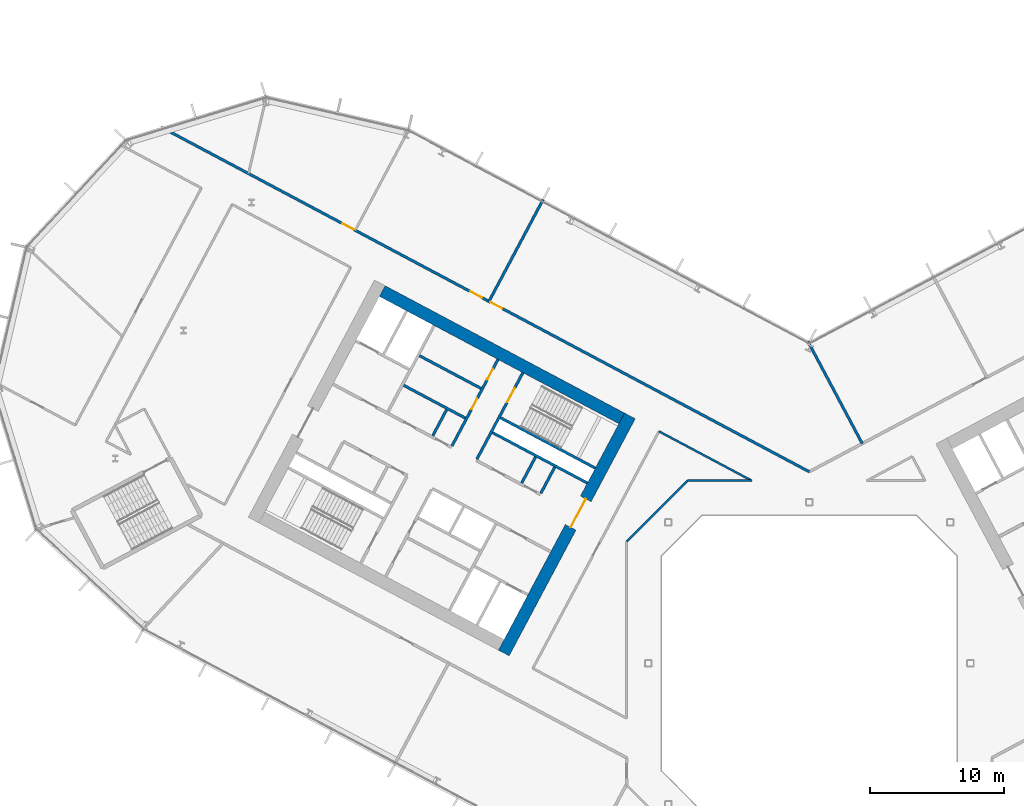
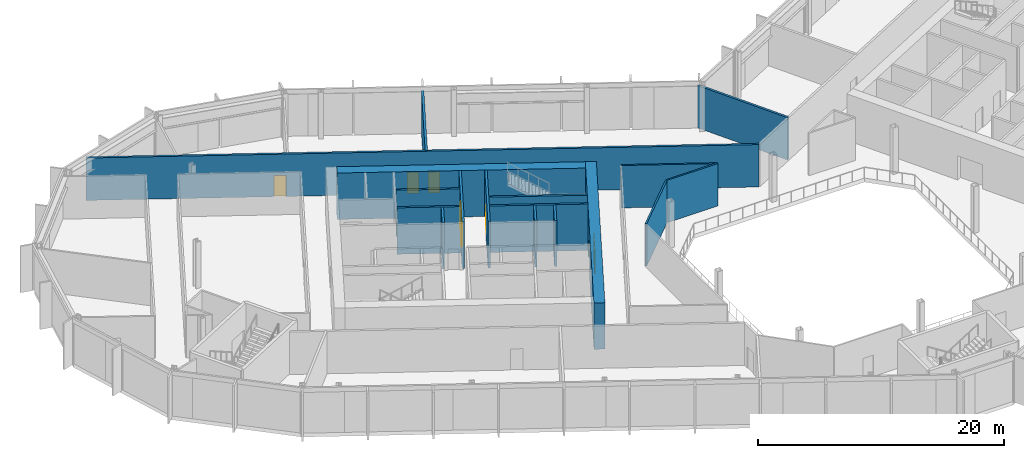
# One storey, part 16 of 31: 17 walls, 7 doors, 7 openings.
"""IFC4 building model written with IfcOpenShell, lengths in metres."""

from ifc_helpers import new_model, si_unit, direction, frame, frame_2d, origin, place, context, subcontext, project, spatial, rectangle, extrude, material, layer, layer_set, type_object, element, fill, save


model = new_model("IFC4")

# Units and contexts
model_context = context("Model", 3, precision=1e-05, world=origin(), true_north=direction((0.0, 1.0)))
body_context = subcontext(model_context, "Body", "Model", "MODEL_VIEW")
ifc_project = project(units=[si_unit("LENGTHUNIT", "METRE"), si_unit("AREAUNIT", "SQUARE_METRE"), si_unit("VOLUMEUNIT", "CUBIC_METRE"), si_unit("PLANEANGLEUNIT", "RADIAN"), si_unit("MASSUNIT", "GRAM", prefix="KILO")], contexts=[model_context])

# Site, building, storey
site_placement = place(None, origin())
site = spatial("IfcSite", under=ifc_project, at=site_placement, CompositionType="ELEMENT")
building_placement = place(site_placement, origin())
building = spatial("IfcBuilding", under=site, at=building_placement, Name="Cormorant Relay Tower", CompositionType="ELEMENT")
storey_placement = place(building_placement, frame((0.0, 0.0, 98.39990234375)))
storey = spatial("IfcBuildingStorey", under=building, at=storey_placement, Name="L19", CompositionType="ELEMENT", Elevation=98.39990234375)

# Walls
ifc_material_1 = material(Name="Concrete 40 MPa", Category="concrete")
ifc_layer_1 = layer(ifc_material_1, 0.199951171875)
ifc_layer_set_1 = layer_set([ifc_layer_1], Name="Core internal wall 200")
wall_type_1 = type_object("IfcWallType", Name="Core internal wall 200", PredefinedType="SOLIDWALL", material=ifc_layer_set_1)
for number, where, z_axis, x_axis, name in (
    (1, (-20.39013671875, 15.371826171875, 0.0), (0.0, 0.0, 1.0), (-0.4694473164, -0.882960484464, 0.0), "L19 core A shaft and room wall"),
    (2, (-27.01220703125, 18.892822265625, 0.0), (0.0, 0.0, 1.0), (-0.4694473164, -0.882960484464, 0.0), "L19 core A shaft and room wall"),
):
    element("IfcWall", number, at=place(storey_placement, frame(where, z_axis=z_axis, x_axis=x_axis)), inside=storey, type_object=wall_type_1, Name=name, PredefinedType="SOLIDWALL", context=body_context, shape_type="SweptSolid", body=[
        extrude(rectangle(XDim=2.199951171875, YDim=0.199951171875, at=frame_2d((1.10009765625, 0.0))), origin(), (0.0, 0.0, 1.0), 4.60009765625),
    ])
wall_1_placement = place(storey_placement, frame((-24.449462890625, 20.474853515625, 0.0), z_axis=(0.0, 0.0, 1.0), x_axis=(-0.882934506056, 0.469496174655, 0.0)))
element("IfcWall", 3, at=wall_1_placement, inside=storey, type_object=wall_type_1, Name="L19 core A shaft and room wall", PredefinedType="SOLIDWALL", context=body_context, shape_type="SweptSolid", body=[
    extrude(rectangle(XDim=5.199951171875, YDim=0.199951171875, at=frame_2d((2.60009765625, 0.0))), origin(), (0.0, 0.0, 1.0), 4.60009765625),
])
ifc_material_2 = material(Name="Concrete 50 MPa", Category="concrete")
ifc_layer_2 = layer(ifc_material_2, 0.199951171875)
ifc_layer_set_2 = layer_set([ifc_layer_2], Name="Core shaft wall 200")
wall_type_2 = type_object("IfcWallType", Name="Core shaft wall 200", PredefinedType="SHEAR", material=ifc_layer_set_2)
wall_2_placement = place(storey_placement, frame((-18.959716796875, 14.611328125, 0.0), z_axis=(0.0, 0.0, 1.0), x_axis=(-0.4694473164, -0.882960484464, 0.0)))
element("IfcWall", 4, at=wall_2_placement, inside=storey, type_object=wall_type_2, Name="L19 core A shaft wall", PredefinedType="SHEAR", context=body_context, shape_type="SweptSolid", body=[
    extrude(rectangle(XDim=2.199951171875, YDim=0.199951171875, at=frame_2d((1.10009765625, 0.0))), origin(), (0.0, 0.0, 1.0), 4.60009765625),
])

# Wall, opening, door
wall_3_placement = place(storey_placement, frame((-21.333251953125, 21.6494140625, 0.0), z_axis=(0.0, 0.0, 1.0), x_axis=(-0.469494272526, -0.882935517501, 0.0)))
wall_3 = element("IfcWall", 5, at=wall_3_placement, inside=storey, type_object=wall_type_2, Name="L19 core A shaft wall", PredefinedType="SHEAR", context=body_context, shape_type="SweptSolid", body=[
    extrude(rectangle(XDim=7.2998046875, YDim=0.199951171875, at=frame_2d((3.64990234375, 0.0))), origin(), (0.0, 0.0, 1.0), 4.60009765625),
])
opening_1_placement = place(wall_3_placement, frame((1.300048828125, 0.0, 0.0)))
opening_1 = element("IfcOpeningElement", 6, at=opening_1_placement, cuts=wall_3, Name="Opening CDB-024", PredefinedType="OPENING", context=body_context, shape_type="SweptSolid", body=[
    extrude(rectangle(XDim=1.199951171875, YDim=2.10009765625, at=frame_2d((0.60009765625, 1.050048828125))), frame((0.0, 0.10986328125, 0.0), z_axis=(0.0, -1.0, 0.0), x_axis=(1.0, 0.0, 0.0)), (0.0, 0.0, 1.0), 0.219970703125),
])
ifc_material_3 = material(Name="Steel fire door", Category="steel")
door_type_1 = type_object("IfcDoorType", Name="Core stair door 1200x2100", OperationType="SINGLE_SWING_LEFT", PredefinedType="DOOR", material=ifc_material_3)
door_1_placement = place(opening_1_placement, origin())
door_1 = element("IfcDoor", 7, at=door_1_placement, inside=storey, type_object=door_type_1, Name="Core stair door 1200x2100", OperationType="SINGLE_SWING_RIGHT", OverallHeight=2.10009765625, OverallWidth=1.199951171875, PredefinedType="DOOR", context=body_context, shape_type="SweptSolid", body=[
    extrude(rectangle(XDim=1.199951171875, YDim=2.10009765625, at=frame_2d((0.60009765625, 1.050048828125))), frame((0.0, 0.02490234375, 0.0), z_axis=(0.0, -1.0, 0.0), x_axis=(1.0, 0.0, 0.0)), (0.0, 0.0, 1.0), 0.050048828125),
])
fill(opening_1, door_1)

# Wall, openings, doors
wall_4_placement = place(storey_placement, frame((-23.1875, 22.635498046875, 0.0), z_axis=(0.0, 0.0, 1.0), x_axis=(-0.469454336211, -0.882956752176, 0.0)))
wall_4 = element("IfcWall", 8, at=wall_4_placement, inside=storey, type_object=wall_type_2, Name="L19 core A shaft wall", PredefinedType="SHEAR", context=body_context, shape_type="SweptSolid", body=[
    extrude(rectangle(XDim=7.300048828125, YDim=0.199951171875, at=frame_2d((3.64990234375, 0.0))), origin(), (0.0, 0.0, 1.0), 4.60009765625),
])
opening_2_placement = place(wall_4_placement, frame((0.800048828125, 0.0, 0.0)))
opening_2 = element("IfcOpeningElement", 9, at=opening_2_placement, cuts=wall_4, Name="Opening CDD-117", PredefinedType="OPENING", context=body_context, shape_type="SweptSolid", body=[
    extrude(rectangle(XDim=0.89990234375, YDim=2.10009765625, at=frame_2d((0.449951171875, 1.050048828125))), frame((0.0, 0.10986328125, 0.0), z_axis=(0.0, -1.0, 0.0), x_axis=(1.0, 0.0, 0.0)), (0.0, 0.0, 1.0), 0.219970703125),
])
opening_3_placement = place(wall_4_placement, frame((3.300048828125, 0.0, 0.0)))
opening_3 = element("IfcOpeningElement", 10, at=opening_3_placement, cuts=wall_4, Name="Opening CDD-140", PredefinedType="OPENING", context=body_context, shape_type="SweptSolid", body=[
    extrude(rectangle(XDim=0.89990234375, YDim=2.10009765625, at=frame_2d((0.449951171875, 1.050048828125))), frame((0.0, 0.10986328125, 0.0), z_axis=(0.0, -1.0, 0.0), x_axis=(1.0, 0.0, 0.0)), (0.0, 0.0, 1.0), 0.219970703125),
])
ifc_material_4 = material(Name="Steel fire door", Category="steel")
door_type_2 = type_object("IfcDoorType", Name="Core room door 900x2100", OperationType="SINGLE_SWING_LEFT", PredefinedType="DOOR", material=ifc_material_4)
door_2_placement = place(opening_2_placement, origin())
door_2 = element("IfcDoor", 11, at=door_2_placement, inside=storey, type_object=door_type_2, Name="Core room door 900x2100", OperationType="SINGLE_SWING_LEFT", OverallHeight=2.10009765625, OverallWidth=0.89990234375, PredefinedType="DOOR", context=body_context, shape_type="SweptSolid", body=[
    extrude(rectangle(XDim=0.89990234375, YDim=2.10009765625, at=frame_2d((0.449951171875, 1.050048828125))), frame((0.0, 0.02490234375, 0.0), z_axis=(0.0, -1.0, 0.0), x_axis=(1.0, 0.0, 0.0)), (0.0, 0.0, 1.0), 0.050048828125),
])
fill(opening_2, door_2)
door_3_placement = place(opening_3_placement, frame((0.89990234375, 0.0, 0.0), z_axis=(0.0, 0.0, 1.0), x_axis=(-1.0, 0.0, 0.0)))
door_3 = element("IfcDoor", 12, at=door_3_placement, inside=storey, type_object=door_type_2, Name="Core room door 900x2100", OperationType="SINGLE_SWING_RIGHT", OverallHeight=2.10009765625, OverallWidth=0.89990234375, PredefinedType="DOOR", context=body_context, shape_type="SweptSolid", body=[
    extrude(rectangle(XDim=0.89990234375, YDim=2.10009765625, at=frame_2d((0.449951171875, 1.050048828125))), frame((0.0, 0.02490234375, 0.0), z_axis=(0.0, -1.0, 0.0), x_axis=(1.0, 0.0, 0.0)), (0.0, 0.0, 1.0), 0.050048828125),
])
fill(opening_3, door_3)

# Walls
wall_5_placement = place(storey_placement, frame((-15.94189453125, 14.53564453125, 0.0), z_axis=(0.0, 0.0, 1.0), x_axis=(-0.882946947542, 0.469472776449, 0.0)))
element("IfcWall", 13, at=wall_5_placement, inside=storey, type_object=wall_type_2, Name="L19 core A shaft wall", PredefinedType="SHEAR", context=body_context, shape_type="SweptSolid", body=[
    extrude(rectangle(XDim=8.000244140625, YDim=0.199951171875, at=frame_2d((4.0, 0.0))), origin(), (0.0, 0.0, 1.0), 4.60009765625),
])
wall_6_placement = place(storey_placement, frame((-16.52880859375, 13.43212890625, 0.0), z_axis=(0.0, 0.0, 1.0), x_axis=(-0.88295287151, 0.469461634952, 0.0)))
element("IfcWall", 14, at=wall_6_placement, inside=storey, type_object=wall_type_2, Name="L19 core A shaft wall", PredefinedType="SHEAR", context=body_context, shape_type="SweptSolid", body=[
    extrude(rectangle(XDim=7.999755859375, YDim=0.199951171875, at=frame_2d((4.0, 0.0))), origin(), (0.0, 0.0, 1.0), 4.60009765625),
])
wall_7_placement = place(storey_placement, frame((-25.623046875, 18.267578125, 0.0), z_axis=(0.0, 0.0, 1.0), x_axis=(-0.882953967957, 0.469459572775, 0.0)))
element("IfcWall", 15, at=wall_7_placement, inside=storey, type_object=wall_type_2, Name="L19 core A shaft wall", PredefinedType="SHEAR", context=body_context, shape_type="SweptSolid", body=[
    extrude(rectangle(XDim=5.199951171875, YDim=0.199951171875, at=frame_2d((2.60009765625, 0.0))), origin(), (0.0, 0.0, 1.0), 4.60009765625),
])

# Wall, opening, door
ifc_material_5 = material(Name="Concrete 70 MPa", Category="concrete")
ifc_layer_3 = layer(ifc_material_5, 0.89990234375)
ifc_layer_set_3 = layer_set([ifc_layer_3], Name="Core wall 900")
wall_type_3 = type_object("IfcWallType", Name="Core wall 900", PredefinedType="SHEAR", material=ifc_layer_set_3)
wall_8_placement = place(storey_placement, frame((-13.361572265625, 18.43017578125, 0.0), z_axis=(0.0, 0.0, 1.0), x_axis=(-0.46947084998, -0.882947971864, 0.0)))
wall_8 = element("IfcWall", 16, at=wall_8_placement, inside=storey, type_object=wall_type_3, Name="L19 core A wall", PredefinedType="SHEAR", context=body_context, shape_type="SweptSolid", body=[
    extrude(rectangle(XDim=20.0, YDim=0.89990234375, at=frame_2d((10.0, 0.0))), origin(), (0.0, 0.0, 1.0), 4.60009765625),
])
opening_4_placement = place(wall_8_placement, frame((7.0, 0.0, 0.0)))
opening_4 = element("IfcOpeningElement", 17, at=opening_4_placement, cuts=wall_8, Name="Opening CDA-017", PredefinedType="OPENING", context=body_context, shape_type="SweptSolid", body=[
    extrude(rectangle(XDim=2.39990234375, YDim=2.39990234375, at=frame_2d((1.199951171875, 1.199951171875))), frame((0.0, 0.4599609375, 0.0), z_axis=(0.0, -1.0, 0.0), x_axis=(1.0, 0.0, 0.0)), (0.0, 0.0, 1.0), 0.919921875),
])
ifc_material_6 = material(Name="Steel fire door", Category="steel")
door_type_3 = type_object("IfcDoorType", Name="Core lobby door 2400x2400", OperationType="DOUBLE_DOOR_SINGLE_SWING", PredefinedType="DOOR", material=ifc_material_6)
door_4_placement = place(opening_4_placement, frame((2.39990234375, 0.0, 0.0), z_axis=(0.0, 0.0, 1.0), x_axis=(-1.0, 0.0, 0.0)))
door_4 = element("IfcDoor", 18, at=door_4_placement, inside=storey, type_object=door_type_3, Name="Core lobby door 2400x2400", OperationType="DOUBLE_DOOR_SINGLE_SWING", OverallHeight=2.39990234375, OverallWidth=2.39990234375, PredefinedType="DOOR", context=body_context, shape_type="SweptSolid", body=[
    extrude(rectangle(XDim=2.39990234375, YDim=2.39990234375, at=frame_2d((1.199951171875, 1.199951171875))), frame((0.0, 0.02490234375, 0.0), z_axis=(0.0, -1.0, 0.0), x_axis=(1.0, 0.0, 0.0)), (0.0, 0.0, 1.0), 0.050048828125),
])
fill(opening_4, door_4)

# Wall
wall_9_placement = place(storey_placement, frame((-13.97021484375, 18.244140625, 0.0), z_axis=(0.0, 0.0, 1.0), x_axis=(-0.88294509198, 0.469476266226, 0.0)))
element("IfcWall", 19, at=wall_9_placement, inside=storey, type_object=wall_type_3, Name="L19 core A wall", PredefinedType="SHEAR", context=body_context, shape_type="SweptSolid", body=[
    extrude(rectangle(XDim=20.199951171875, YDim=0.89990234375, at=frame_2d((10.10009765625, 0.0))), origin(), (0.0, 0.0, 1.0), 4.60009765625),
])

# Wall, openings, doors
ifc_material_7 = material(Name="Fire-rated gypsum board partition")
ifc_layer_4 = layer(ifc_material_7, 0.199951171875)
ifc_layer_set_4 = layer_set([ifc_layer_4], Name="Fire-rated gypsum partition 200")
wall_type_4 = type_object("IfcWallType", Name="Fire-rated gypsum partition 200", PredefinedType="PARTITIONING", material=ifc_layer_set_4)
wall_10_placement = place(storey_placement, frame((-48.27099609375, 39.93603515625, 0.0), z_axis=(0.0, 0.0, 1.0), x_axis=(0.88294856545, -0.469469733604, 0.0)))
wall_10 = element("IfcWall", 20, at=wall_10_placement, inside=storey, type_object=wall_type_4, Name="wall/L19/part/14", PredefinedType="PARTITIONING", context=body_context, shape_type="SweptSolid", body=[
    extrude(rectangle(XDim=54.670166015625, YDim=0.199951171875, at=frame_2d((27.3349609375, 0.0))), origin(), (0.0, 0.0, 1.0), 4.2001953125),
])
opening_5_placement = place(wall_10_placement, frame((27.76611328125, 0.0, 0.0)))
opening_5 = element("IfcOpeningElement", 21, at=opening_5_placement, cuts=wall_10, Name="Opening FD1-114", PredefinedType="OPENING", context=body_context, shape_type="SweptSolid", body=[
    extrude(rectangle(XDim=1.0, YDim=2.10009765625, at=frame_2d((0.5, 1.050048828125))), frame((0.0, 0.10986328125, 0.0), z_axis=(0.0, -1.0, 0.0), x_axis=(1.0, 0.0, 0.0)), (0.0, 0.0, 1.0), 0.219970703125),
])
opening_6_placement = place(wall_10_placement, frame((26.06591796875, 0.0, 0.0)))
opening_6 = element("IfcOpeningElement", 22, at=opening_6_placement, cuts=wall_10, Name="Opening FD1-101", PredefinedType="OPENING", context=body_context, shape_type="SweptSolid", body=[
    extrude(rectangle(XDim=1.0, YDim=2.10009765625, at=frame_2d((0.5, 1.050048828125))), frame((0.0, 0.10986328125, 0.0), z_axis=(0.0, -1.0, 0.0), x_axis=(1.0, 0.0, 0.0)), (0.0, 0.0, 1.0), 0.219970703125),
])
opening_7_placement = place(wall_10_placement, frame((15.264892578125, 0.0, 0.0)))
opening_7 = element("IfcOpeningElement", 23, at=opening_7_placement, cuts=wall_10, Name="Opening FD1-102", PredefinedType="OPENING", context=body_context, shape_type="SweptSolid", body=[
    extrude(rectangle(XDim=1.0, YDim=2.10009765625, at=frame_2d((0.5, 1.050048828125))), frame((0.0, 0.10986328125, 0.0), z_axis=(0.0, -1.0, 0.0), x_axis=(1.0, 0.0, 0.0)), (0.0, 0.0, 1.0), 0.219970703125),
])
ifc_material_8 = material(Name="Fire-rated steel door", Category="steel")
door_type_4 = type_object("IfcDoorType", Name="Fire door 1000 x 2100", OperationType="SINGLE_SWING_LEFT", PredefinedType="DOOR", material=ifc_material_8)
door_5_placement = place(opening_5_placement, origin())
door_5 = element("IfcDoor", 24, at=door_5_placement, inside=storey, type_object=door_type_4, Name="door/L19/9", OperationType="SINGLE_SWING_LEFT", OverallHeight=2.10009765625, OverallWidth=1.0, PredefinedType="DOOR", context=body_context, shape_type="SweptSolid", body=[
    extrude(rectangle(XDim=1.0, YDim=2.10009765625, at=frame_2d((0.5, 1.050048828125))), frame((0.0, 0.02490234375, 0.0), z_axis=(0.0, -1.0, 0.0), x_axis=(1.0, 0.0, 0.0)), (0.0, 0.0, 1.0), 0.050048828125),
])
fill(opening_5, door_5)
door_6_placement = place(opening_6_placement, origin())
door_6 = element("IfcDoor", 25, at=door_6_placement, inside=storey, type_object=door_type_4, Name="door/L19/10", OperationType="SINGLE_SWING_RIGHT", OverallHeight=2.10009765625, OverallWidth=1.0, PredefinedType="DOOR", context=body_context, shape_type="SweptSolid", body=[
    extrude(rectangle(XDim=1.0, YDim=2.10009765625, at=frame_2d((0.5, 1.050048828125))), frame((0.0, 0.02490234375, 0.0), z_axis=(0.0, -1.0, 0.0), x_axis=(1.0, 0.0, 0.0)), (0.0, 0.0, 1.0), 0.050048828125),
])
fill(opening_6, door_6)
door_7_placement = place(opening_7_placement, origin())
door_7 = element("IfcDoor", 26, at=door_7_placement, inside=storey, type_object=door_type_4, Name="door/L19/11", OperationType="SINGLE_SWING_RIGHT", OverallHeight=2.10009765625, OverallWidth=1.0, PredefinedType="DOOR", context=body_context, shape_type="SweptSolid", body=[
    extrude(rectangle(XDim=1.0, YDim=2.10009765625, at=frame_2d((0.5, 1.050048828125))), frame((0.0, 0.02490234375, 0.0), z_axis=(0.0, -1.0, 0.0), x_axis=(1.0, 0.0, 0.0)), (0.0, 0.0, 1.0), 0.050048828125),
])
fill(opening_7, door_7)

# Walls
wall_11_placement = place(storey_placement, frame((-19.822021484375, 34.550048828125, 0.0), z_axis=(0.0, 0.0, 1.0), x_axis=(-0.469434046176, -0.882967539772, 0.0)))
element("IfcWall", 27, at=wall_11_placement, inside=storey, type_object=wall_type_4, Name="wall/L19/part/21", PredefinedType="PARTITIONING", context=body_context, shape_type="SweptSolid", body=[
    extrude(rectangle(XDim=8.599365234375, YDim=0.199951171875, at=frame_2d((4.2998046875, 0.0))), origin(), (0.0, 0.0, 1.0), 4.2001953125),
])
wall_12_placement = place(storey_placement, frame((-0.10498046875, 23.98388671875, 0.0), z_axis=(0.0, 0.0, 1.0), x_axis=(0.46938766067, -0.882992199292, 0.0)))
element("IfcWall", 28, at=wall_12_placement, inside=storey, type_object=wall_type_4, Name="wall/L19/part/22", PredefinedType="PARTITIONING", context=body_context, shape_type="SweptSolid", body=[
    extrude(rectangle(XDim=8.626220703125, YDim=0.199951171875, at=frame_2d((4.31298828125, 0.0))), origin(), (0.0, 0.0, 1.0), 4.2001953125),
])
ifc_material_9 = material(Name="Gypsum board partition")
ifc_layer_5 = layer(ifc_material_9, 0.14990234375)
ifc_layer_set_5 = layer_set([ifc_layer_5], Name="Gypsum board partition 150")
wall_type_5 = type_object("IfcWallType", Name="Gypsum board partition 150", PredefinedType="PARTITIONING", material=ifc_layer_set_5)
wall_13_placement = place(storey_placement, frame((-11.197998046875, 17.280029296875, 0.0), z_axis=(0.0, 0.0, 1.0), x_axis=(0.882946288452, -0.46947401601, 0.0)))
element("IfcWall", 29, at=wall_13_placement, inside=storey, type_object=wall_type_5, Name="wall/L19/part/57", PredefinedType="PARTITIONING", context=body_context, shape_type="SweptSolid", body=[
    extrude(rectangle(XDim=7.83837890625, YDim=0.14990234375, at=frame_2d((3.919189453125, 0.0))), origin(), (0.0, 0.0, 1.0), 4.2001953125),
])
wall_14_placement = place(storey_placement, frame((-4.277099609375, 13.60009765625, 0.0), z_axis=(0.0, 0.0, 1.0), x_axis=(-1.0, 0.0, 0.0)))
element("IfcWall", 30, at=wall_14_placement, inside=storey, type_object=wall_type_5, Name="wall/L19/part/58", PredefinedType="PARTITIONING", context=body_context, shape_type="SweptSolid", body=[
    extrude(rectangle(XDim=4.7998046875, YDim=0.14990234375, at=frame_2d((2.39990234375, 0.0))), origin(), (0.0, 0.0, 1.0), 4.2001953125),
])
wall_15_placement = place(storey_placement, frame((-9.076904296875, 13.60009765625, 0.0), z_axis=(0.0, 0.0, 1.0), x_axis=(-0.707106781187, -0.707106781187, 0.0)))
element("IfcWall", 31, at=wall_15_placement, inside=storey, type_object=wall_type_5, Name="wall/L19/part/59", PredefinedType="PARTITIONING", context=body_context, shape_type="SweptSolid", body=[
    extrude(rectangle(XDim=6.396728515625, YDim=0.14990234375, at=frame_2d((3.1982421875, 0.0))), origin(), (0.0, 0.0, 1.0), 4.2001953125),
])

save(model, "model.ifc")
